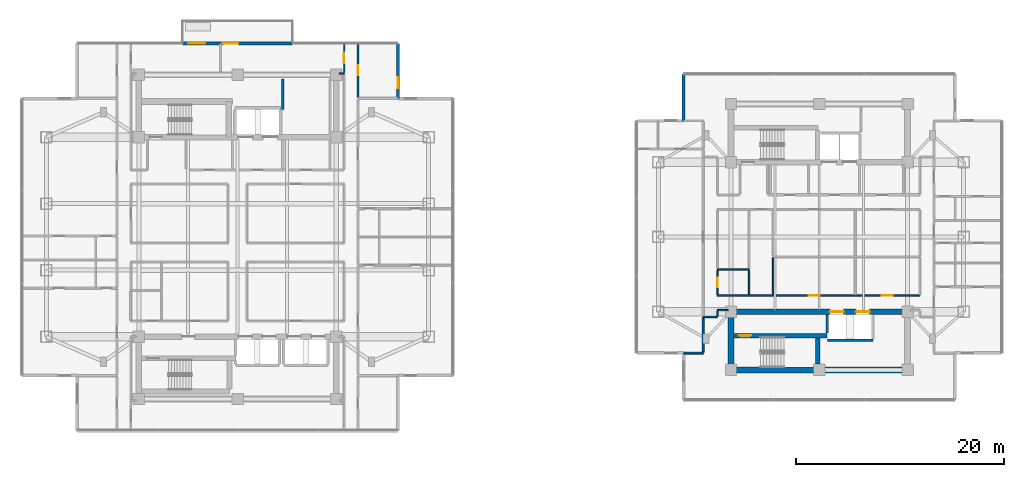
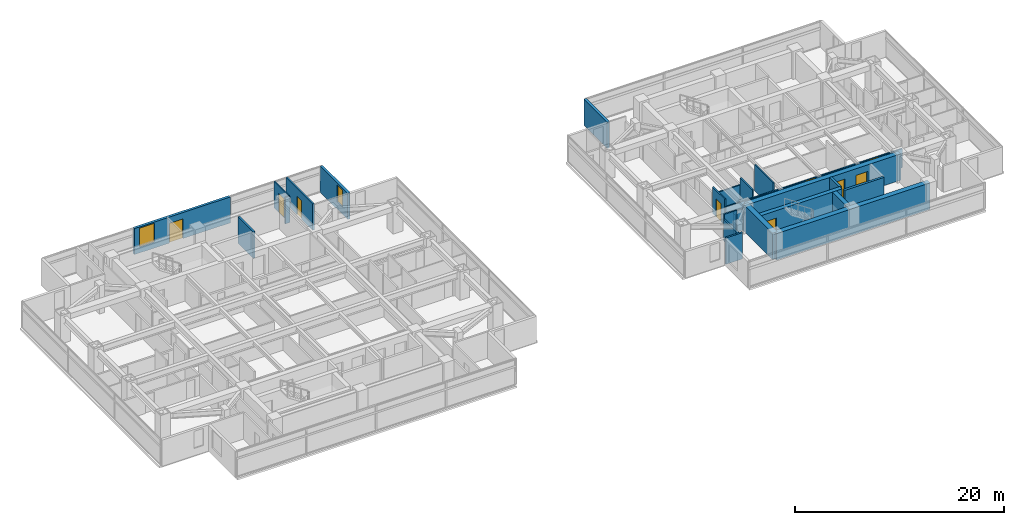
# One storey, part 17 of 26: 24 walls, 9 doors, 2 windows, 11 openings.
"""IFC4 building model written with IfcOpenShell, lengths in metres."""

from ifc_helpers import new_model, si_unit, direction, frame, frame_2d, origin, place, context, subcontext, project, spatial, rectangle, extrude, material, layer, layer_set, type_object, element, fill, save


model = new_model("IFC4")

# Units and contexts
model_context = context("Model", 3, precision=1e-05, world=origin(), true_north=direction((0.0, 1.0)))
body_context = subcontext(model_context, "Body", "Model", "MODEL_VIEW")
ifc_project = project(units=[si_unit("LENGTHUNIT", "METRE"), si_unit("AREAUNIT", "SQUARE_METRE"), si_unit("VOLUMEUNIT", "CUBIC_METRE"), si_unit("PLANEANGLEUNIT", "RADIAN"), si_unit("MASSUNIT", "GRAM", prefix="KILO")], contexts=[model_context])

# Site, building, storey
site_placement = place(None, origin())
site = spatial("IfcSite", under=ifc_project, at=site_placement, CompositionType="ELEMENT")
building_placement = place(site_placement, origin())
building = spatial("IfcBuilding", under=site, at=building_placement, Name="Mirazonda Arch Towers", CompositionType="ELEMENT")
storey_placement = place(building_placement, frame((0.0, 0.0, 128.0)))
storey = spatial("IfcBuildingStorey", under=building, at=storey_placement, Name="L36", CompositionType="ELEMENT", Elevation=128.0)

# Wall, opening, door
ifc_material_1 = material(Name="Concrete C50/60", Category="concrete")
ifc_layer_1 = layer(ifc_material_1, 0.449951171875, Name="WALL-CORE-450")
ifc_layer_set_1 = layer_set([ifc_layer_1], Name="Concrete C50/60")
wall_type_1 = type_object("IfcWallType", Name="WALL-CORE-450", PredefinedType="SHEAR", material=ifc_layer_set_1)
wall_1_placement = place(storey_placement, frame((68.27001953125, 18.5, 0.0), z_axis=(0.0, 0.0, 1.0), x_axis=(1.0, 0.0, 0.0)))
wall_1 = element("IfcWall", 1, at=wall_1_placement, inside=storey, type_object=wall_type_1, Name="L36 Stair Core Shear Wall 014", PredefinedType="SHEAR", context=body_context, shape_type="SweptSolid", body=[
    extrude(rectangle(XDim=8.949951171875, YDim=0.449951171875, at=frame_2d((4.47509765625, 0.0))), origin(), (0.0, 0.0, 1.0), 3.080078125),
])
opening_1_placement = place(wall_1_placement, frame((0.52001953125, 0.0, 0.0)))
opening_1 = element("IfcOpeningElement", 2, at=opening_1_placement, cuts=wall_1, Name="Opening DR-135", PredefinedType="OPENING", context=body_context, shape_type="SweptSolid", body=[
    extrude(rectangle(XDim=1.14990234375, YDim=2.199951171875, at=frame_2d((0.574951171875, 1.10009765625))), frame((0.0, 0.23486328125, 0.0), z_axis=(0.0, -1.0, 0.0), x_axis=(1.0, 0.0, 0.0)), (0.0, 0.0, 1.0), 0.469970703125),
])
ifc_material_2 = material(Name="Architectural Brushed Steel S355", Category="steel")
door_type_1 = type_object("IfcDoorType", Name="DOOR-STAIR-FD90-1150", OperationType="NOTDEFINED", PredefinedType="DOOR", material=ifc_material_2)
door_1_placement = place(opening_1_placement, origin())
door_1 = element("IfcDoor", 3, at=door_1_placement, inside=storey, type_object=door_type_1, Name="L36 East Protected Stair South Door", OperationType="SINGLE_SWING_LEFT", OverallHeight=2.199951171875, OverallWidth=1.14990234375, PredefinedType="DOOR", context=body_context, shape_type="SweptSolid", body=[
    extrude(rectangle(XDim=1.14990234375, YDim=2.199951171875, at=frame_2d((0.574951171875, 1.10009765625))), frame((0.0, 0.02490234375, 0.0), z_axis=(0.0, -1.0, 0.0), x_axis=(1.0, 0.0, 0.0)), (0.0, 0.0, 1.0), 0.050048828125),
])
fill(opening_1, door_1)

# Walls
wall_2_placement = place(storey_placement, frame((76.360107421875, 15.764892578125, 0.0), z_axis=(0.0, 0.0, 1.0), x_axis=(0.0, 1.0, 0.0)))
element("IfcWall", 4, at=wall_2_placement, inside=storey, type_object=wall_type_1, Name="L36 Stair Core Shear Wall 127", PredefinedType="SHEAR", context=body_context, shape_type="SweptSolid", body=[
    extrude(rectangle(XDim=2.5, YDim=0.449951171875, at=frame_2d((1.25, 0.0))), origin(), (0.0, 0.0, 1.0), 3.080078125),
])
ifc_layer_2 = layer(ifc_material_1, 0.550048828125, Name="WALL-CORE-550")
ifc_layer_set_2 = layer_set([ifc_layer_2], Name="Concrete C50/60")
wall_type_2 = type_object("IfcWallType", Name="WALL-CORE-550", PredefinedType="SHEAR", material=ifc_layer_set_2)
wall_3_placement = place(storey_placement, frame((68.0, 15.199951171875, 0.0), z_axis=(0.0, 0.0, 1.0), x_axis=(1.0, 0.0, 0.0)))
element("IfcWall", 5, at=wall_3_placement, inside=storey, type_object=wall_type_2, Name="L36 T2S-S Core Shear Wall", PredefinedType="SHEAR", context=body_context, shape_type="SweptSolid", body=[
    extrude(rectangle(XDim=17.0, YDim=0.550048828125, at=frame_2d((8.5, 0.0))), origin(), (0.0, 0.0, 1.0), 3.080078125),
])
wall_4_placement = place(storey_placement, frame((68.0, 15.199951171875, 0.0), z_axis=(0.0, 0.0, 1.0), x_axis=(0.0, 1.0, 0.0)))
element("IfcWall", 6, at=wall_4_placement, inside=storey, type_object=wall_type_2, Name="L36 T2S-W Core Shear Wall", PredefinedType="SHEAR", context=body_context, shape_type="SweptSolid", body=[
    extrude(rectangle(XDim=5.60009765625, YDim=0.550048828125, at=frame_2d((2.800048828125, 0.0))), origin(), (0.0, 0.0, 1.0), 3.080078125),
])

# Wall, openings, doors
wall_5_placement = place(storey_placement, frame((68.0, 20.800048828125, 0.0), z_axis=(0.0, 0.0, 1.0), x_axis=(1.0, 0.0, 0.0)))
wall_5 = element("IfcWall", 7, at=wall_5_placement, inside=storey, type_object=wall_type_2, Name="L36 T2S-N Core Shear Wall", PredefinedType="SHEAR", context=body_context, shape_type="SweptSolid", body=[
    extrude(rectangle(XDim=17.0, YDim=0.550048828125, at=frame_2d((8.5, 0.0))), origin(), (0.0, 0.0, 1.0), 3.080078125),
])
opening_2_placement = place(wall_5_placement, frame((9.550048828125, 0.0, 0.0)))
opening_2 = element("IfcOpeningElement", 8, at=opening_2_placement, cuts=wall_5, Name="Opening LD-111", PredefinedType="OPENING", context=body_context, shape_type="SweptSolid", body=[
    extrude(rectangle(XDim=1.300048828125, YDim=2.300048828125, at=frame_2d((0.64990234375, 1.14990234375))), frame((0.0, 0.284912109375, 0.0), z_axis=(0.0, -1.0, 0.0), x_axis=(1.0, 0.0, 0.0)), (0.0, 0.0, 1.0), 0.570068359375),
])
opening_3_placement = place(wall_5_placement, frame((12.050048828125, 0.0, 0.0)))
opening_3 = element("IfcOpeningElement", 9, at=opening_3_placement, cuts=wall_5, Name="Opening LD-111", PredefinedType="OPENING", context=body_context, shape_type="SweptSolid", body=[
    extrude(rectangle(XDim=1.300048828125, YDim=2.300048828125, at=frame_2d((0.64990234375, 1.14990234375))), frame((0.0, 0.284912109375, 0.0), z_axis=(0.0, -1.0, 0.0), x_axis=(1.0, 0.0, 0.0)), (0.0, 0.0, 1.0), 0.570068359375),
])
door_type_2 = type_object("IfcDoorType", Name="DOOR-LIFT-LAND-1300", OperationType="NOTDEFINED", PredefinedType="DOOR", material=ifc_material_2)
door_2_placement = place(opening_2_placement, origin())
door_2 = element("IfcDoor", 10, at=door_2_placement, inside=storey, type_object=door_type_2, Name="L36 Lift Landing Sliding Door PL-T2H1", OperationType="DOUBLE_DOOR_SLIDING", OverallHeight=2.300048828125, OverallWidth=1.300048828125, PredefinedType="DOOR", context=body_context, shape_type="SweptSolid", body=[
    extrude(rectangle(XDim=1.300048828125, YDim=2.300048828125, at=frame_2d((0.64990234375, 1.14990234375))), frame((0.0, 0.02490234375, 0.0), z_axis=(0.0, -1.0, 0.0), x_axis=(1.0, 0.0, 0.0)), (0.0, 0.0, 1.0), 0.050048828125),
])
fill(opening_2, door_2)
door_3_placement = place(opening_3_placement, origin())
door_3 = element("IfcDoor", 11, at=door_3_placement, inside=storey, type_object=door_type_2, Name="L36 Lift Landing Sliding Door PL-T2H2", OperationType="DOUBLE_DOOR_SLIDING", OverallHeight=2.300048828125, OverallWidth=1.300048828125, PredefinedType="DOOR", context=body_context, shape_type="SweptSolid", body=[
    extrude(rectangle(XDim=1.300048828125, YDim=2.300048828125, at=frame_2d((0.64990234375, 1.14990234375))), frame((0.0, 0.02490234375, 0.0), z_axis=(0.0, -1.0, 0.0), x_axis=(1.0, 0.0, 0.0)), (0.0, 0.0, 1.0), 0.050048828125),
])
fill(opening_3, door_3)

# Wall, openings, door, window
ifc_material_3 = material(Name="Precast Concrete C40/50", Category="concrete")
ifc_layer_3 = layer(ifc_material_3, 0.280029296875, Name="WALL-EXT-WALL-280")
ifc_layer_set_3 = layer_set([ifc_layer_3], Name="Precast Concrete C40/50")
wall_type_3 = type_object("IfcWallType", Name="WALL-EXT-WALL-280", PredefinedType="SOLIDWALL", material=ifc_layer_set_3)
wall_6_placement = place(storey_placement, frame((15.199951171875, 46.614013671875, 0.0), z_axis=(0.0, 0.0, 1.0), x_axis=(1.0, 0.0, 0.0)))
wall_6 = element("IfcWall", 12, at=wall_6_placement, inside=storey, type_object=wall_type_3, Name="L36 T1 Sky-Terrace Threshold Wall WL-TERR-L36-T1", PredefinedType="SOLIDWALL", context=body_context, shape_type="SweptSolid", body=[
    extrude(rectangle(XDim=10.60009765625, YDim=0.280029296875, at=frame_2d((5.300048828125, 0.0))), origin(), (0.0, 0.0, 1.0), 3.0400390625),
])
opening_4_placement = place(wall_6_placement, frame((0.550048828125, 0.0, 0.68994140625)))
opening_4 = element("IfcOpeningElement", 13, at=opening_4_placement, cuts=wall_6, Name="Opening WN-115", PredefinedType="OPENING", context=body_context, shape_type="SweptSolid", body=[
    extrude(rectangle(XDim=1.64990234375, YDim=2.199951171875, at=frame_2d((0.824951171875, 1.10009765625))), frame((0.0, 0.14990234375, 0.0), z_axis=(0.0, -1.0, 0.0), x_axis=(1.0, 0.0, 0.0)), (0.0, 0.0, 1.0), 0.300048828125),
])
opening_5_placement = place(wall_6_placement, frame((3.8798828125, 0.0, 0.0)))
opening_5 = element("IfcOpeningElement", 14, at=opening_5_placement, cuts=wall_6, Name="Opening DR-116", PredefinedType="OPENING", context=body_context, shape_type="SweptSolid", body=[
    extrude(rectangle(XDim=1.5, YDim=2.300048828125, at=frame_2d((0.75, 1.14990234375))), frame((0.0, 0.14990234375, 0.0), z_axis=(0.0, -1.0, 0.0), x_axis=(1.0, 0.0, 0.0)), (0.0, 0.0, 1.0), 0.300048828125),
])
ifc_material_4 = material(Name="Architectural Hardwood Timber", Category="wood")
door_type_3 = type_object("IfcDoorType", Name="DOOR-TERR-EXT-1500", OperationType="NOTDEFINED", PredefinedType="DOOR", material=ifc_material_4)
door_4_placement = place(opening_5_placement, origin())
door_4 = element("IfcDoor", 15, at=door_4_placement, inside=storey, type_object=door_type_3, Name="L36 Exterior Door DR-TERR-L36-T1", OperationType="SINGLE_SWING_LEFT", OverallHeight=2.300048828125, OverallWidth=1.5, PredefinedType="DOOR", context=body_context, shape_type="SweptSolid", body=[
    extrude(rectangle(XDim=1.5, YDim=2.300048828125, at=frame_2d((0.75, 1.14990234375))), frame((0.0, 0.02490234375, 0.0), z_axis=(0.0, -1.0, 0.0), x_axis=(1.0, 0.0, 0.0)), (0.0, 0.0, 1.0), 0.050048828125),
])
fill(opening_5, door_4)
ifc_material_5 = material(Name="Insulated Low-E Solar Glass", Category="glass")
window_type_1 = type_object("IfcWindowType", Name="WIN-RES-1650x2200", PartitioningType="SINGLE_PANEL", PredefinedType="WINDOW", material=ifc_material_5)
window_1_placement = place(opening_4_placement, origin())
window_1 = element("IfcWindow", 16, at=window_1_placement, inside=storey, type_object=window_type_1, Name="L36 Punched Facade Window WN-TERR-L36-T1", OverallHeight=2.199951171875, OverallWidth=1.64990234375, PartitioningType="SINGLE_PANEL", PredefinedType="WINDOW", context=body_context, shape_type="SweptSolid", body=[
    extrude(rectangle(XDim=1.64990234375, YDim=2.199951171875, at=frame_2d((0.824951171875, 1.10009765625))), frame((0.0, 0.030029296875, 0.0), z_axis=(0.0, -1.0, 0.0), x_axis=(1.0, 0.0, 0.0)), (0.0, 0.0, 1.0), 0.06005859375),
])
fill(opening_4, window_1)

# Wall, opening, window
wall_7_placement = place(storey_placement, frame((35.949951171875, 41.343994140625, 0.0), z_axis=(0.0, 0.0, 1.0), x_axis=(0.0, 1.0, 0.0)))
wall_7 = element("IfcWall", 17, at=wall_7_placement, inside=storey, type_object=wall_type_3, Name="L36 T1 Notched NE Corner Wall WL-L36-T1-CNE", PredefinedType="SOLIDWALL", context=body_context, shape_type="SweptSolid", body=[
    extrude(rectangle(XDim=5.27001953125, YDim=0.280029296875, at=frame_2d((2.635009765625, 0.0))), origin(), (0.0, 0.0, 1.0), 3.06005859375),
])
opening_6_placement = place(wall_7_placement, frame((0.949951171875, 0.0, 0.85009765625)))
opening_6 = element("IfcOpeningElement", 18, at=opening_6_placement, cuts=wall_7, Name="Opening WN-108", PredefinedType="OPENING", context=body_context, shape_type="SweptSolid", body=[
    extrude(rectangle(XDim=1.10009765625, YDim=2.0, at=frame_2d((0.550048828125, 1.0))), frame((0.0, 0.14990234375, 0.0), z_axis=(0.0, -1.0, 0.0), x_axis=(1.0, 0.0, 0.0)), (0.0, 0.0, 1.0), 0.300048828125),
])
window_type_2 = type_object("IfcWindowType", Name="WIN-NOTCH-1100x2000", PartitioningType="SINGLE_PANEL", PredefinedType="WINDOW", material=ifc_material_5)
window_2_placement = place(opening_6_placement, origin())
window_2 = element("IfcWindow", 19, at=window_2_placement, inside=storey, type_object=window_type_2, Name="L36 Punched Facade Window WN-L36-T1-CNE", OverallHeight=2.0, OverallWidth=1.10009765625, PartitioningType="SINGLE_PANEL", PredefinedType="WINDOW", context=body_context, shape_type="SweptSolid", body=[
    extrude(rectangle(XDim=1.10009765625, YDim=2.0, at=frame_2d((0.550048828125, 1.0))), frame((0.0, 0.030029296875, 0.0), z_axis=(0.0, -1.0, 0.0), x_axis=(1.0, 0.0, 0.0)), (0.0, 0.0, 1.0), 0.06005859375),
])
fill(opening_6, window_2)

# Walls
wall_8_placement = place(storey_placement, frame((63.427490234375, 43.6689453125, 0.0), z_axis=(0.0, 0.0, 1.0), x_axis=(0.0, -1.0, 0.0)))
element("IfcWall", 20, at=wall_8_placement, inside=storey, type_object=wall_type_3, Name="L36 T2 Corner Notch Return Wall WL-L36-T2-CNW2", PredefinedType="SOLIDWALL", context=body_context, shape_type="SweptSolid", body=[
    extrude(rectangle(XDim=4.486572265625, YDim=0.280029296875, at=frame_2d((2.2431640625, 0.0))), origin(), (0.0, 0.0, 1.0), 3.06005859375),
])
ifc_material_6 = material(Name="Concrete C40/50", Category="concrete")
ifc_layer_4 = layer(ifc_material_6, 0.219970703125, Name="WALL-FFL-220")
ifc_layer_set_4 = layer_set([ifc_layer_4], Name="Concrete C40/50")
wall_type_4 = type_object("IfcWallType", Name="WALL-FFL-220", PredefinedType="SOLIDWALL", material=ifc_layer_set_4)
wall_9_placement = place(storey_placement, frame((24.85009765625, 40.260009765625, 0.0), z_axis=(0.0, 0.0, 1.0), x_axis=(0.0, 1.0, 0.0)))
element("IfcWall", 21, at=wall_9_placement, inside=storey, type_object=wall_type_4, Name="L36 Interior Partition 092", PredefinedType="SOLIDWALL", context=body_context, shape_type="SweptSolid", body=[
    extrude(rectangle(XDim=2.93994140625, YDim=0.219970703125, at=frame_2d((1.469970703125, 0.0))), origin(), (0.0, 0.0, 1.0), 3.080078125),
])
ifc_material_7 = material(Name="Fire-Rated Gypsum Stud Partition")
ifc_layer_5 = layer(ifc_material_7, 0.14990234375, Name="WALL-PART-CORR-150")
ifc_layer_set_5 = layer_set([ifc_layer_5], Name="Fire-Rated Gypsum Stud Partition")
wall_type_5 = type_object("IfcWallType", Name="WALL-PART-CORR-150", PredefinedType="PARTITIONING", material=ifc_layer_set_5)
wall_10_placement = place(storey_placement, frame((65.320068359375, 20.300048828125, 0.0), z_axis=(0.0, 0.0, 1.0), x_axis=(1.0, 0.0, 0.0)))
element("IfcWall", 22, at=wall_10_placement, inside=storey, type_object=wall_type_5, Name="L36 Interior Partition 017", PredefinedType="PARTITIONING", context=body_context, shape_type="SweptSolid", body=[
    extrude(rectangle(XDim=1.35986328125, YDim=0.14990234375, at=frame_2d((0.679931640625, 0.0))), origin(), (0.0, 0.0, 1.0), 3.080078125),
])
wall_11_placement = place(storey_placement, frame((66.679931640625, 20.949951171875, 0.0), z_axis=(0.0, 0.0, 1.0), x_axis=(1.0, 0.0, 0.0)))
element("IfcWall", 23, at=wall_11_placement, inside=storey, type_object=wall_type_5, Name="L36 Interior Partition 019", PredefinedType="PARTITIONING", context=body_context, shape_type="SweptSolid", body=[
    extrude(rectangle(XDim=1.050048828125, YDim=0.14990234375, at=frame_2d((0.52490234375, 0.0))), origin(), (0.0, 0.0, 1.0), 2.471923828125),
])

# Wall, openings, doors
wall_12_placement = place(storey_placement, frame((66.679931640625, 22.35009765625, 0.0), z_axis=(0.0, 0.0, 1.0), x_axis=(1.0, 0.0, 0.0)))
wall_12 = element("IfcWall", 24, at=wall_12_placement, inside=storey, type_object=wall_type_5, Name="L36 Interior Partition 021", PredefinedType="PARTITIONING", context=body_context, shape_type="SweptSolid", body=[
    extrude(rectangle(XDim=19.5, YDim=0.14990234375, at=frame_2d((9.75, 0.0))), origin(), (0.0, 0.0, 1.0), 2.216064453125),
])
opening_7_placement = place(wall_12_placement, frame((8.801513671875, 0.0, 0.0)))
opening_7 = element("IfcOpeningElement", 25, at=opening_7_placement, cuts=wall_12, Name="Opening DR-121", PredefinedType="OPENING", context=body_context, shape_type="SweptSolid", body=[
    extrude(rectangle(XDim=1.050048828125, YDim=2.199951171875, at=frame_2d((0.52490234375, 1.10009765625))), frame((0.0, 0.0849609375, 0.0), z_axis=(0.0, -1.0, 0.0), x_axis=(1.0, 0.0, 0.0)), (0.0, 0.0, 1.0), 0.169921875),
])
opening_8_placement = place(wall_12_placement, frame((15.846435546875, 0.0, 0.0)))
opening_8 = element("IfcOpeningElement", 26, at=opening_8_placement, cuts=wall_12, Name="Opening DR-121", PredefinedType="OPENING", context=body_context, shape_type="SweptSolid", body=[
    extrude(rectangle(XDim=1.050048828125, YDim=2.199951171875, at=frame_2d((0.52490234375, 1.10009765625))), frame((0.0, 0.0849609375, 0.0), z_axis=(0.0, -1.0, 0.0), x_axis=(1.0, 0.0, 0.0)), (0.0, 0.0, 1.0), 0.169921875),
])
door_type_4 = type_object("IfcDoorType", Name="DOOR-SUITE-FD60-1050", OperationType="NOTDEFINED", PredefinedType="DOOR", material=ifc_material_2)
door_5_placement = place(opening_7_placement, origin())
door_5 = element("IfcDoor", 27, at=door_5_placement, inside=storey, type_object=door_type_4, Name="L36 Executive Club Lounge Door", OperationType="SINGLE_SWING_LEFT", OverallHeight=2.199951171875, OverallWidth=1.050048828125, PredefinedType="DOOR", context=body_context, shape_type="SweptSolid", body=[
    extrude(rectangle(XDim=1.050048828125, YDim=2.199951171875, at=frame_2d((0.52490234375, 1.10009765625))), frame((0.0, 0.02490234375, 0.0), z_axis=(0.0, -1.0, 0.0), x_axis=(1.0, 0.0, 0.0)), (0.0, 0.0, 1.0), 0.050048828125),
])
fill(opening_7, door_5)
door_6_placement = place(opening_8_placement, origin())
door_6 = element("IfcDoor", 28, at=door_6_placement, inside=storey, type_object=door_type_4, Name="L36 Business Reading Study Door", OperationType="SINGLE_SWING_RIGHT", OverallHeight=2.199951171875, OverallWidth=1.050048828125, PredefinedType="DOOR", context=body_context, shape_type="SweptSolid", body=[
    extrude(rectangle(XDim=1.050048828125, YDim=2.199951171875, at=frame_2d((0.52490234375, 1.10009765625))), frame((0.0, 0.02490234375, 0.0), z_axis=(0.0, -1.0, 0.0), x_axis=(1.0, 0.0, 0.0)), (0.0, 0.0, 1.0), 0.050048828125),
])
fill(opening_8, door_6)

# Walls
wall_13_placement = place(storey_placement, frame((66.679931640625, 24.85009765625, 0.0), z_axis=(0.0, 0.0, 1.0), x_axis=(1.0, 0.0, 0.0)))
element("IfcWall", 29, at=wall_13_placement, inside=storey, type_object=wall_type_5, Name="L36 Interior Partition 025", PredefinedType="PARTITIONING", context=body_context, shape_type="SweptSolid", body=[
    extrude(rectangle(XDim=3.070068359375, YDim=0.14990234375, at=frame_2d((1.53515625, 0.0))), origin(), (0.0, 0.0, 1.0), 2.216064453125),
])
wall_14_placement = place(storey_placement, frame((30.27001953125, 43.75, 0.0), z_axis=(0.0, 0.0, 1.0), x_axis=(1.0, 0.0, 0.0)))
element("IfcWall", 30, at=wall_14_placement, inside=storey, type_object=wall_type_5, Name="L36 Interior Partition 058", PredefinedType="PARTITIONING", context=body_context, shape_type="SweptSolid", body=[
    extrude(rectangle(XDim=0.489990234375, YDim=0.14990234375, at=frame_2d((0.2451171875, 0.0))), origin(), (0.0, 0.0, 1.0), 3.080078125),
])

# Wall, opening, door
wall_15_placement = place(storey_placement, frame((30.760009765625, 43.8349609375, 0.0), z_axis=(0.0, 0.0, 1.0), x_axis=(0.0, 1.0, 0.0)))
wall_15 = element("IfcWall", 31, at=wall_15_placement, inside=storey, type_object=wall_type_5, Name="L36 Interior Partition 101", PredefinedType="PARTITIONING", context=body_context, shape_type="SweptSolid", body=[
    extrude(rectangle(XDim=2.779052734375, YDim=0.14990234375, at=frame_2d((1.3896484375, 0.0))), origin(), (0.0, 0.0, 1.0), 3.080078125),
])
opening_9_placement = place(wall_15_placement, frame((0.864501953125, 0.0, 0.0)))
opening_9 = element("IfcOpeningElement", 32, at=opening_9_placement, cuts=wall_15, Name="Opening DR-121", PredefinedType="OPENING", context=body_context, shape_type="SweptSolid", body=[
    extrude(rectangle(XDim=1.050048828125, YDim=2.199951171875, at=frame_2d((0.52490234375, 1.10009765625))), frame((0.0, 0.0849609375, 0.0), z_axis=(0.0, -1.0, 0.0), x_axis=(1.0, 0.0, 0.0)), (0.0, 0.0, 1.0), 0.169921875),
])
door_7_placement = place(opening_9_placement, origin())
door_7 = element("IfcDoor", 33, at=door_7_placement, inside=storey, type_object=door_type_4, Name="L36 North Reading Salon East Door", OperationType="SINGLE_SWING_RIGHT", OverallHeight=2.199951171875, OverallWidth=1.050048828125, PredefinedType="DOOR", context=body_context, shape_type="SweptSolid", body=[
    extrude(rectangle(XDim=1.050048828125, YDim=2.199951171875, at=frame_2d((0.52490234375, 1.10009765625))), frame((0.0, 0.02490234375, 0.0), z_axis=(0.0, -1.0, 0.0), x_axis=(1.0, 0.0, 0.0)), (0.0, 0.0, 1.0), 0.050048828125),
])
fill(opening_9, door_7)

# Wall
wall_16_placement = place(storey_placement, frame((66.679931640625, 20.385009765625, 0.0), z_axis=(0.0, 0.0, 1.0), x_axis=(0.0, 1.0, 0.0)))
element("IfcWall", 34, at=wall_16_placement, inside=storey, type_object=wall_type_5, Name="L36 Interior Partition 115", PredefinedType="PARTITIONING", context=body_context, shape_type="SweptSolid", body=[
    extrude(rectangle(XDim=0.47998046875, YDim=0.14990234375, at=frame_2d((0.239990234375, 0.0))), origin(), (0.0, 0.0, 1.0), 2.471923828125),
])

# Wall, opening, door
wall_17_placement = place(storey_placement, frame((66.679931640625, 22.43505859375, 0.0), z_axis=(0.0, 0.0, 1.0), x_axis=(0.0, 1.0, 0.0)))
wall_17 = element("IfcWall", 35, at=wall_17_placement, inside=storey, type_object=wall_type_5, Name="L36 Interior Partition 116", PredefinedType="PARTITIONING", context=body_context, shape_type="SweptSolid", body=[
    extrude(rectangle(XDim=2.329833984375, YDim=0.14990234375, at=frame_2d((1.1650390625, 0.0))), origin(), (0.0, 0.0, 1.0), 3.080078125),
])
opening_10_placement = place(wall_17_placement, frame((0.715087890625, 0.0, 0.0)))
opening_10 = element("IfcOpeningElement", 36, at=opening_10_placement, cuts=wall_17, Name="Opening DR-120", PredefinedType="OPENING", context=body_context, shape_type="SweptSolid", body=[
    extrude(rectangle(XDim=0.89990234375, YDim=2.10009765625, at=frame_2d((0.449951171875, 1.050048828125))), frame((0.0, 0.0849609375, 0.0), z_axis=(0.0, -1.0, 0.0), x_axis=(1.0, 0.0, 0.0)), (0.0, 0.0, 1.0), 0.169921875),
])
door_type_5 = type_object("IfcDoorType", Name="DOOR-WC-900", OperationType="NOTDEFINED", PredefinedType="DOOR", material=ifc_material_2)
door_8_placement = place(opening_10_placement, origin())
door_8 = element("IfcDoor", 37, at=door_8_placement, inside=storey, type_object=door_type_5, Name="L36 Tower 2 Common Accessible WC Door", OperationType="SINGLE_SWING_RIGHT", OverallHeight=2.10009765625, OverallWidth=0.89990234375, PredefinedType="DOOR", context=body_context, shape_type="SweptSolid", body=[
    extrude(rectangle(XDim=0.89990234375, YDim=2.10009765625, at=frame_2d((0.449951171875, 1.050048828125))), frame((0.0, 0.02490234375, 0.0), z_axis=(0.0, -1.0, 0.0), x_axis=(1.0, 0.0, 0.0)), (0.0, 0.0, 1.0), 0.050048828125),
])
fill(opening_10, door_8)

# Walls
wall_18_placement = place(storey_placement, frame((69.743408203125, 22.43505859375, 0.0), z_axis=(0.0, 0.0, 1.0), x_axis=(0.0, 1.0, 0.0)))
element("IfcWall", 38, at=wall_18_placement, inside=storey, type_object=wall_type_5, Name="L36 Interior Partition 120", PredefinedType="PARTITIONING", context=body_context, shape_type="SweptSolid", body=[
    extrude(rectangle(XDim=2.329833984375, YDim=0.14990234375, at=frame_2d((1.1650390625, 0.0))), origin(), (0.0, 0.0, 1.0), 3.080078125),
])
wall_19_placement = place(storey_placement, frame((72.050048828125, 22.43505859375, 0.0), z_axis=(0.0, 0.0, 1.0), x_axis=(0.0, 1.0, 0.0)))
element("IfcWall", 39, at=wall_19_placement, inside=storey, type_object=wall_type_5, Name="L36 Interior Partition 124", PredefinedType="PARTITIONING", context=body_context, shape_type="SweptSolid", body=[
    extrude(rectangle(XDim=3.56494140625, YDim=0.14990234375, at=frame_2d((1.782470703125, 0.0))), origin(), (0.0, 0.0, 1.0), 3.080078125),
])
ifc_material_8 = material(Name="Fire-Rated Gypsum Twin-Stud Assembly")
ifc_layer_6 = layer(ifc_material_8, 0.179931640625, Name="WALL-PART-DEMISE-180")
ifc_layer_set_6 = layer_set([ifc_layer_6], Name="Fire-Rated Gypsum Twin-Stud Assembly")
wall_type_6 = type_object("IfcWallType", Name="WALL-PART-DEMISE-180", PredefinedType="PARTITIONING", material=ifc_layer_set_6)
wall_20_placement = place(storey_placement, frame((63.447509765625, 16.818115234375, 0.0), z_axis=(0.0, 0.0, 1.0), x_axis=(1.0, 0.0, 0.0)))
element("IfcWall", 40, at=wall_20_placement, inside=storey, type_object=wall_type_6, Name="L36 Interior Partition 009", PredefinedType="PARTITIONING", context=body_context, shape_type="SweptSolid", body=[
    extrude(rectangle(XDim=1.87255859375, YDim=0.179931640625, at=frame_2d((0.936279296875, 0.0))), origin(), (0.0, 0.0, 1.0), 3.080078125),
])

# Wall, opening, door
wall_21_placement = place(storey_placement, frame((32.10009765625, 41.444091796875, 0.0), z_axis=(0.0, 0.0, 1.0), x_axis=(0.0, 1.0, 0.0)))
wall_21 = element("IfcWall", 41, at=wall_21_placement, inside=storey, type_object=wall_type_6, Name="L36 Interior Partition 107", PredefinedType="PARTITIONING", context=body_context, shape_type="SweptSolid", body=[
    extrude(rectangle(XDim=5.169921875, YDim=0.179931640625, at=frame_2d((2.5849609375, 0.0))), origin(), (0.0, 0.0, 1.0), 3.080078125),
])
opening_11_placement = place(wall_21_placement, frame((2.110107421875, 0.0, 0.0)))
opening_11 = element("IfcOpeningElement", 42, at=opening_11_placement, cuts=wall_21, Name="Opening DR-104", PredefinedType="OPENING", context=body_context, shape_type="SweptSolid", body=[
    extrude(rectangle(XDim=0.949951171875, YDim=2.14990234375, at=frame_2d((0.47509765625, 1.074951171875))), frame((0.0, 0.099853515625, 0.0), z_axis=(0.0, -1.0, 0.0), x_axis=(1.0, 0.0, 0.0)), (0.0, 0.0, 1.0), 0.199951171875),
])
door_type_6 = type_object("IfcDoorType", Name="DOOR-ROOM-950", OperationType="NOTDEFINED", PredefinedType="DOOR", material=ifc_material_2)
door_9_placement = place(opening_11_placement, origin())
door_9 = element("IfcDoor", 43, at=door_9_placement, inside=storey, type_object=door_type_6, Name="L36 North Reading Salon Alcove East Door", OperationType="SINGLE_SWING_RIGHT", OverallHeight=2.14990234375, OverallWidth=0.949951171875, PredefinedType="DOOR", context=body_context, shape_type="SweptSolid", body=[
    extrude(rectangle(XDim=0.949951171875, YDim=2.14990234375, at=frame_2d((0.47509765625, 1.074951171875))), frame((0.0, 0.02490234375, 0.0), z_axis=(0.0, -1.0, 0.0), x_axis=(1.0, 0.0, 0.0)), (0.0, 0.0, 1.0), 0.050048828125),
])
fill(opening_11, door_9)

# Walls
wall_22_placement = place(storey_placement, frame((65.320068359375, 16.91796875, 0.0), z_axis=(0.0, 0.0, 1.0), x_axis=(0.0, 1.0, 0.0)))
element("IfcWall", 44, at=wall_22_placement, inside=storey, type_object=wall_type_6, Name="L36 Interior Partition 111", PredefinedType="PARTITIONING", context=body_context, shape_type="SweptSolid", body=[
    extrude(rectangle(XDim=3.297119140625, YDim=0.179931640625, at=frame_2d((1.6484375, 0.0))), origin(), (0.0, 0.0, 1.0), 2.52294921875),
])
ifc_layer_7 = layer(ifc_material_6, 0.25, Name="WALL-SHAFT-250")
ifc_layer_set_7 = layer_set([ifc_layer_7], Name="Concrete C40/50")
wall_type_7 = type_object("IfcWallType", Name="WALL-SHAFT-250", PredefinedType="SOLIDWALL", material=ifc_layer_set_7)
wall_23_placement = place(storey_placement, frame((77.300048828125, 18.050048828125, 0.0), z_axis=(0.0, 0.0, 1.0), x_axis=(1.0, 0.0, 0.0)))
element("IfcWall", 45, at=wall_23_placement, inside=storey, type_object=wall_type_7, Name="L36 Interior Partition 011", PredefinedType="SOLIDWALL", context=body_context, shape_type="SweptSolid", body=[
    extrude(rectangle(XDim=4.349853515625, YDim=0.25, at=frame_2d((2.1748046875, 0.0))), origin(), (0.0, 0.0, 1.0), 3.080078125),
])
wall_24_placement = place(storey_placement, frame((77.260009765625, 18.735107421875, 0.0), z_axis=(0.0, 0.0, 1.0), x_axis=(0.0, 1.0, 0.0)))
element("IfcWall", 46, at=wall_24_placement, inside=storey, type_object=wall_type_7, Name="L36 Interior Partition 129", PredefinedType="SOLIDWALL", context=body_context, shape_type="SweptSolid", body=[
    extrude(rectangle(XDim=1.794921875, YDim=0.25, at=frame_2d((0.8974609375, 0.0))), origin(), (0.0, 0.0, 1.0), 3.080078125),
])

save(model, "model.ifc")
